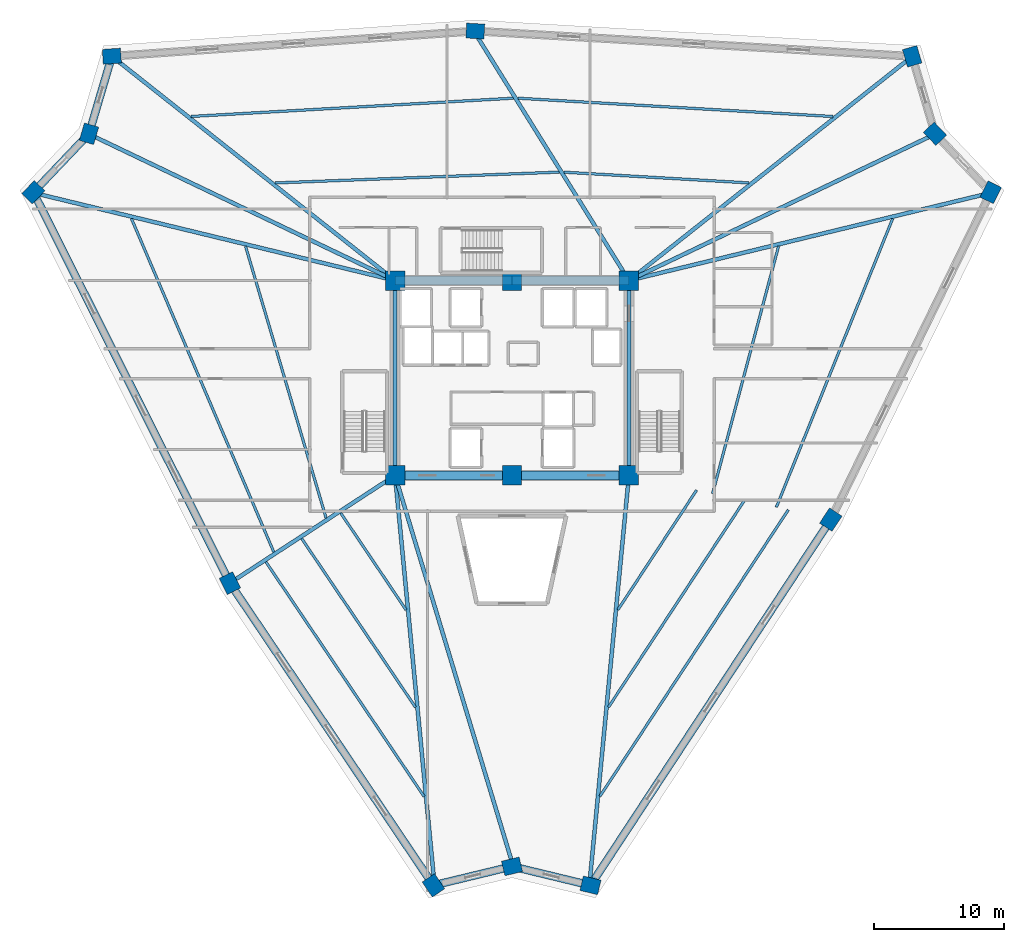
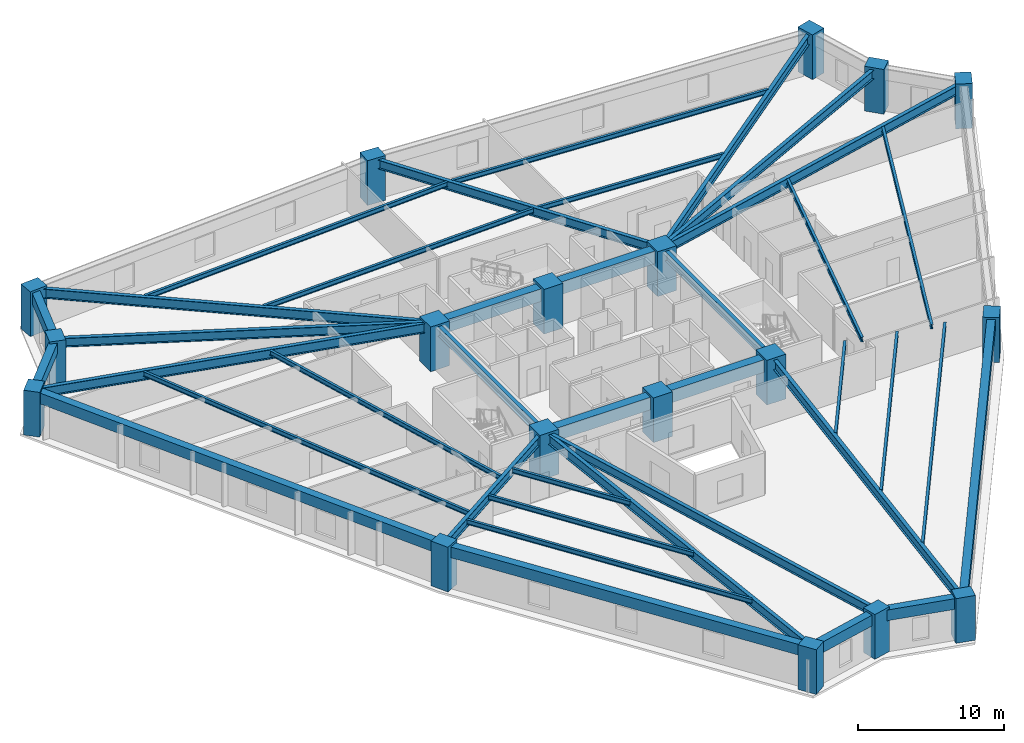
# One storey, part 1 of 8: 38 beams, 18 columns.
"""IFC4 building model written with IfcOpenShell, lengths in metres."""

from ifc_helpers import new_model, si_unit, direction, frame, origin, origin_2d, place, context, subcontext, project, spatial, rectangle, i_section, extrude, source, transform, mapped, material, material_profile, profile_set, type_object, element, save


model = new_model("IFC4")

# Units and contexts
model_context = context("Model", 3, precision=1e-05, world=origin(), true_north=direction((0.0, 1.0)))
body_context = subcontext(model_context, "Body", "Model", "MODEL_VIEW")
ifc_project = project(units=[si_unit("LENGTHUNIT", "METRE"), si_unit("AREAUNIT", "SQUARE_METRE"), si_unit("VOLUMEUNIT", "CUBIC_METRE"), si_unit("PLANEANGLEUNIT", "RADIAN"), si_unit("MASSUNIT", "GRAM", prefix="KILO")], contexts=[model_context])

# Site, building, storey
site_placement = place(None, origin())
site = spatial("IfcSite", under=ifc_project, at=site_placement, CompositionType="ELEMENT")
building_placement = place(site_placement, origin())
building = spatial("IfcBuilding", under=site, at=building_placement, Name="Liaohun Quay Tower", CompositionType="ELEMENT")
storey_placement = place(building_placement, frame((0.0, 0.0, 109.5)))
storey = spatial("IfcBuildingStorey", under=building, at=storey_placement, Name="L28", CompositionType="ELEMENT", Elevation=109.5)

# Columns
ifc_material_1 = material(Name="Concrete C60", Category="concrete")
ifc_material_profile_1 = material_profile(ifc_material_1, rectangle(XDim=1.5, YDim=1.5, at=origin_2d()), Name="RC1500x1500")
ifc_profile_set_1 = profile_set([ifc_material_profile_1], Name="Concrete C60")
column_type_1 = type_object("IfcColumnType", Name="COL-CC-Z2", PredefinedType="COLUMN", material=ifc_profile_set_1)
shared_shape_1 = source(origin(), body_context, "Body", "SweptSolid", [
    extrude(rectangle(XDim=1.5, YDim=1.5, at=origin_2d()), origin(), (0.0, 0.0, 1.0), 3.75),
])
for number, where, z_axis, x_axis, name in (
    (1, (51.0, 46.5, 0.0), (0.0, 0.0, 1.0), (1.0, 0.0, 0.0), "L28 Core Column CC1"),
    (2, (60.0, 46.5, 0.0), (0.0, 0.0, 1.0), (1.0, 0.0, 0.0), "L28 Core Column CC2"),
    (3, (69.0, 46.5, 0.0), (0.0, 0.0, 1.0), (1.0, 0.0, 0.0), "L28 Core Column CC3"),
    (4, (69.0, 61.5, 0.0), (0.0, 0.0, 1.0), (1.0, 0.0, 0.0), "L28 Core Column CC4"),
    (5, (60.0, 61.5, 0.0), (0.0, 0.0, 1.0), (1.0, 0.0, 0.0), "L28 Core Column CC5"),
    (6, (51.0, 61.5, 0.0), (0.0, 0.0, 1.0), (1.0, 0.0, 0.0), "L28 Core Column CC6"),
):
    element("IfcColumn", number, at=place(storey_placement, frame(where, z_axis=z_axis, x_axis=x_axis)), inside=storey, type_object=column_type_1, Name=name, PredefinedType="COLUMN", context=body_context, shape_type="MappedRepresentation", body=[
        mapped(shared_shape_1, transform((0.0, 0.0, 0.0), x_axis=(1.0, 0.0, 0.0), y_axis=(0.0, 1.0, 0.0), z_axis=(0.0, 0.0, 1.0), scale=1.0)),
    ])
ifc_material_profile_2 = material_profile(ifc_material_1, rectangle(XDim=1.39990234375, YDim=1.14990234375, at=origin_2d()), Name="RC1400x1150")
ifc_profile_set_2 = profile_set([ifc_material_profile_2], Name="Concrete C60")
column_type_2 = type_object("IfcColumnType", Name="COL-PIER-Z2", PredefinedType="COLUMN", material=ifc_profile_set_2)
shared_shape_2 = source(origin(), body_context, "Body", "SweptSolid", [
    extrude(rectangle(XDim=1.39990234375, YDim=1.14990234375, at=origin_2d()), origin(), (0.0, 0.0, 1.0), 3.75),
])
for number, where, z_axis, x_axis, name in (
    (7, (53.9541015625, 14.950927734375, 0.0), (0.0, 0.0, 1.0), (-0.558613989835, 0.829427760785, 0.0), "L28 Perimeter Pier PC01"),
    (8, (38.2919921875, 38.205078125, 0.0), (0.0, 0.0, 1.0), (-0.449163069051, 0.89344979568, 0.0), "L28 Perimeter Pier PC02"),
    (9, (23.1640625, 68.29296875, 0.0), (0.0, 0.0, 1.0), (0.68936671806, 0.724412539946, 0.0), "L28 Perimeter Pier PC03"),
    (10, (27.447021484375, 72.7939453125, 0.0), (0.0, 0.0, 1.0), (0.282676303383, 0.959215360337, 0.0), "L28 Perimeter Pier PC04"),
    (11, (29.2060546875, 78.760986328125, 0.0), (0.0, 0.0, 1.0), (0.997612506361, 0.069060025714, 0.0), "L28 Perimeter Pier PC05"),
    (12, (57.175048828125, 80.697021484375, 0.0), (0.0, 0.0, 1.0), (-0.99833175459, 0.0577382696, 0.0), "L28 Perimeter Pier PC06"),
    (13, (90.7958984375, 78.75390625, 0.0), (0.0, 0.0, 1.0), (-0.282676303383, 0.959215360337, 0.0), "L28 Perimeter Pier PC07"),
    (14, (92.552978515625, 72.7939453125, 0.0), (0.0, 0.0, 1.0), (-0.68936671806, 0.724412539946, 0.0), "L28 Perimeter Pier PC08"),
    (15, (96.841064453125, 68.2880859375, 0.0), (0.0, 0.0, 1.0), (0.438998516526, 0.898487786499, 0.0), "L28 Perimeter Pier PC09"),
    (16, (84.532958984375, 43.097900390625, 0.0), (0.0, 0.0, 1.0), (0.549168685539, 0.83571152608, 0.0), "L28 Perimeter Pier PC10"),
    (17, (66.0390625, 14.952880859375, 0.0), (0.0, 0.0, 1.0), (-0.972043021443, 0.234802820391, 0.0), "L28 Perimeter Pier PC11"),
    (18, (60.0, 16.410888671875, 0.0), (0.0, 0.0, 1.0), (0.972043021443, 0.234802820391, 0.0), "L28 Perimeter Pier PC12"),
):
    element("IfcColumn", number, at=place(storey_placement, frame(where, z_axis=z_axis, x_axis=x_axis)), inside=storey, type_object=column_type_2, Name=name, PredefinedType="COLUMN", context=body_context, shape_type="MappedRepresentation", body=[
        mapped(shared_shape_2, transform((0.0, 0.0, 0.0), x_axis=(1.0, 0.0, 0.0), y_axis=(0.0, 1.0, 0.0), z_axis=(0.0, 0.0, 1.0), scale=1.0)),
    ])

# Beams
ifc_material_profile_3 = material_profile(ifc_material_1, rectangle(XDim=0.699951171875, YDim=1.050048828125, at=origin_2d()), Name="RC700x1050")
ifc_profile_set_3 = profile_set([ifc_material_profile_3], Name="Concrete C60")
beam_type_1 = type_object("IfcBeamType", Name="BM-CPL-1", PredefinedType="LINTEL", material=ifc_profile_set_3)
shared_shape_3 = source(origin(), body_context, "Body", "SweptSolid", [
    extrude(rectangle(XDim=0.699951171875, YDim=1.050048828125, at=origin_2d()), origin(), (0.0, 0.0, 1.0), 9.0),
])
for number, where, z_axis, x_axis, name in (
    (19, (51.0, 46.5, 3.044921875), (1.0, 0.0, 0.0), (0.0, 1.0, 0.0), "L28 Core Coupling/Ring Beam CC1-CC2"),
    (20, (60.0, 46.5, 3.044921875), (1.0, 0.0, 0.0), (0.0, 1.0, 0.0), "L28 Core Coupling/Ring Beam CC2-CC3"),
    (21, (69.0, 61.5, 3.044921875), (-1.0, 0.0, 0.0), (0.0, -1.0, 0.0), "L28 Core Coupling/Ring Beam CC4-CC5"),
    (22, (60.0, 61.5, 3.044921875), (-1.0, 0.0, 0.0), (0.0, -1.0, 0.0), "L28 Core Coupling/Ring Beam CC5-CC6"),
):
    element("IfcBeam", number, at=place(storey_placement, frame(where, z_axis=z_axis, x_axis=x_axis)), inside=storey, type_object=beam_type_1, Name=name, PredefinedType="LINTEL", context=body_context, shape_type="MappedRepresentation", body=[
        mapped(shared_shape_3, transform((0.0, 0.0, 0.0), x_axis=(1.0, 0.0, 0.0), y_axis=(0.0, 1.0, 0.0), z_axis=(0.0, 0.0, 1.0), scale=1.0)),
    ])
ifc_material_2 = material(Name="Steel Q355D", Category="steel")
ifc_material_profile_4 = material_profile(ifc_material_2, i_section(OverallWidth=0.300048828125, OverallDepth=0.800048828125, WebThickness=0.013916015625, FlangeThickness=0.02587890625, at=origin_2d()), Name="HN800x300x14x26")
ifc_profile_set_4 = profile_set([ifc_material_profile_4], Name="Steel Q355D")
beam_type_2 = type_object("IfcBeamType", Name="BM-RAD-M1", PredefinedType="BEAM", material=ifc_profile_set_4)
shared_shape_4 = source(origin(), body_context, "Body", "SweptSolid", [
    extrude(i_section(OverallWidth=0.300048828125, OverallDepth=0.800048828125, WebThickness=0.013916015625, FlangeThickness=0.02587890625, at=origin_2d()), origin(), (0.0, 0.0, 1.0), 15.0),
])
for number, where, z_axis, x_axis, name in (
    (23, (69.0, 46.5, 3.169921875), (0.0, 1.0, 0.0), (-1.0, 0.0, 0.0), "L28 Core Coupling/Ring Beam CC3-CC4"),
    (24, (51.0, 61.5, 3.169921875), (0.0, -1.0, 0.0), (1.0, 0.0, 0.0), "L28 Core Coupling/Ring Beam CC6-CC1"),
):
    element("IfcBeam", number, at=place(storey_placement, frame(where, z_axis=z_axis, x_axis=x_axis)), inside=storey, type_object=beam_type_2, Name=name, PredefinedType="BEAM", context=body_context, shape_type="MappedRepresentation", body=[
        mapped(shared_shape_4, transform((0.0, 0.0, 0.0), x_axis=(1.0, 0.0, 0.0), y_axis=(0.0, 1.0, 0.0), z_axis=(0.0, 0.0, 1.0), scale=1.0)),
    ])
ifc_material_3 = material(Name="Precast concrete C55", Category="concrete")
ifc_material_profile_5 = material_profile(ifc_material_3, rectangle(XDim=0.60009765625, YDim=0.89990234375, at=origin_2d()), Name="RC600x900")
ifc_profile_set_5 = profile_set([ifc_material_profile_5], Name="Precast concrete C55")
beam_type_3 = type_object("IfcBeamType", Name="BM-SPD-Z2", PredefinedType="SPANDREL", material=ifc_profile_set_5)
shared_shape_5 = source(origin(), body_context, "Body", "SweptSolid", [
    extrude(rectangle(XDim=0.60009765625, YDim=0.89990234375, at=origin_2d()), origin(), (0.0, 0.0, 1.0), 28.03662109375),
])
beam_1_placement = place(storey_placement, frame((53.9541015625, 14.950927734375, 3.1201171875), z_axis=(-0.558628621166, 0.829417906495, 0.0), x_axis=(-0.829417906495, -0.558628621166, 0.0)))
element("IfcBeam", 25, at=beam_1_placement, inside=storey, type_object=beam_type_3, Name="L28 Precast Spandrel Beam PC01-PC02", PredefinedType="SPANDREL", context=body_context, shape_type="MappedRepresentation", body=[
    mapped(shared_shape_5, transform((0.0, 0.0, 0.0), x_axis=(1.0, 0.0, 0.0), y_axis=(0.0, 1.0, 0.0), z_axis=(0.0, 0.0, 1.0), scale=1.0)),
])
shared_shape_6 = source(origin(), body_context, "Body", "SweptSolid", [
    extrude(rectangle(XDim=0.60009765625, YDim=0.89990234375, at=origin_2d()), origin(), (0.0, 0.0, 1.0), 33.677001953125),
])
beam_2_placement = place(storey_placement, frame((38.2919921875, 38.205078125, 3.1201171875), z_axis=(-0.449207543272, 0.893427435815, 0.0), x_axis=(-0.893427435815, -0.449207543272, 0.0)))
element("IfcBeam", 26, at=beam_2_placement, inside=storey, type_object=beam_type_3, Name="L28 Precast Spandrel Beam PC02-PC03", PredefinedType="SPANDREL", context=body_context, shape_type="MappedRepresentation", body=[
    mapped(shared_shape_6, transform((0.0, 0.0, 0.0), x_axis=(1.0, 0.0, 0.0), y_axis=(0.0, 1.0, 0.0), z_axis=(0.0, 0.0, 1.0), scale=1.0)),
])
shared_shape_7 = source(origin(), body_context, "Body", "SweptSolid", [
    extrude(rectangle(XDim=0.60009765625, YDim=0.89990234375, at=origin_2d()), origin(), (0.0, 0.0, 1.0), 6.213134765625),
])
beam_3_placement = place(storey_placement, frame((23.1640625, 68.29296875, 3.1201171875), z_axis=(0.68934406987, 0.724434091781, 0.0), x_axis=(-0.724434091781, 0.68934406987, 0.0)))
element("IfcBeam", 27, at=beam_3_placement, inside=storey, type_object=beam_type_3, Name="L28 Precast Spandrel Beam PC03-PC04", PredefinedType="SPANDREL", context=body_context, shape_type="MappedRepresentation", body=[
    mapped(shared_shape_7, transform((0.0, 0.0, 0.0), x_axis=(1.0, 0.0, 0.0), y_axis=(0.0, 1.0, 0.0), z_axis=(0.0, 0.0, 1.0), scale=1.0)),
])
shared_shape_8 = source(origin(), body_context, "Body", "SweptSolid", [
    extrude(rectangle(XDim=0.60009765625, YDim=0.89990234375, at=origin_2d()), origin(), (0.0, 0.0, 1.0), 6.220947265625),
])
beam_4_placement = place(storey_placement, frame((27.447021484375, 72.7939453125, 3.1201171875), z_axis=(0.282761195984, 0.959190338799, 0.0), x_axis=(-0.959190338799, 0.282761195984, 0.0)))
element("IfcBeam", 28, at=beam_4_placement, inside=storey, type_object=beam_type_3, Name="L28 Precast Spandrel Beam PC04-PC05", PredefinedType="SPANDREL", context=body_context, shape_type="MappedRepresentation", body=[
    mapped(shared_shape_8, transform((0.0, 0.0, 0.0), x_axis=(1.0, 0.0, 0.0), y_axis=(0.0, 1.0, 0.0), z_axis=(0.0, 0.0, 1.0), scale=1.0)),
])
shared_shape_9 = source(origin(), body_context, "Body", "SweptSolid", [
    extrude(rectangle(XDim=0.60009765625, YDim=0.89990234375, at=origin_2d()), origin(), (0.0, 0.0, 1.0), 33.677490234375),
])
beam_5_placement = place(storey_placement, frame((84.532958984375, 43.097900390625, 3.1201171875), z_axis=(-0.549148810226, -0.835724586348, 0.0), x_axis=(0.835724586348, -0.549148810226, 0.0)))
element("IfcBeam", 29, at=beam_5_placement, inside=storey, type_object=beam_type_3, Name="L28 Precast Spandrel Beam PC10-PC11", PredefinedType="SPANDREL", context=body_context, shape_type="MappedRepresentation", body=[
    mapped(shared_shape_9, transform((0.0, 0.0, 0.0), x_axis=(1.0, 0.0, 0.0), y_axis=(0.0, 1.0, 0.0), z_axis=(0.0, 0.0, 1.0), scale=1.0)),
])
shared_shape_10 = source(origin(), body_context, "Body", "SweptSolid", [
    extrude(rectangle(XDim=0.60009765625, YDim=0.89990234375, at=origin_2d()), origin(), (0.0, 0.0, 1.0), 6.212646484375),
])
beam_6_placement = place(storey_placement, frame((66.0390625, 14.952880859375, 3.1201171875), z_axis=(-0.972071080455, 0.234686630517, 0.0), x_axis=(-0.234686630517, -0.972071080455, 0.0)))
element("IfcBeam", 30, at=beam_6_placement, inside=storey, type_object=beam_type_3, Name="L28 Precast Spandrel Beam PC11-PC12", PredefinedType="SPANDREL", context=body_context, shape_type="MappedRepresentation", body=[
    mapped(shared_shape_10, transform((0.0, 0.0, 0.0), x_axis=(1.0, 0.0, 0.0), y_axis=(0.0, 1.0, 0.0), z_axis=(0.0, 0.0, 1.0), scale=1.0)),
])
shared_shape_11 = source(origin(), body_context, "Body", "SweptSolid", [
    extrude(rectangle(XDim=0.60009765625, YDim=0.89990234375, at=origin_2d()), origin(), (0.0, 0.0, 1.0), 6.2197265625),
])
beam_7_placement = place(storey_placement, frame((60.0, 16.410888671875, 3.1201171875), z_axis=(-0.972059975576, -0.234732622111, 0.0), x_axis=(0.234732622111, -0.972059975576, 0.0)))
element("IfcBeam", 31, at=beam_7_placement, inside=storey, type_object=beam_type_3, Name="L28 Precast Spandrel Beam PC12-PC01", PredefinedType="SPANDREL", context=body_context, shape_type="MappedRepresentation", body=[
    mapped(shared_shape_11, transform((0.0, 0.0, 0.0), x_axis=(1.0, 0.0, 0.0), y_axis=(0.0, 1.0, 0.0), z_axis=(0.0, 0.0, 1.0), scale=1.0)),
])
shared_shape_12 = source(origin(), body_context, "Body", "SweptSolid", [
    extrude(i_section(OverallWidth=0.300048828125, OverallDepth=0.800048828125, WebThickness=0.013916015625, FlangeThickness=0.02587890625, at=origin_2d()), origin(), (0.0, 0.0, 1.0), 31.3525390625),
])
beam_8_placement = place(storey_placement, frame((51.0, 46.5, 3.169921875), z_axis=(0.095942684726, -0.995386860094, 0.0), x_axis=(0.995386860094, 0.095942684726, 0.0)))
element("IfcBeam", 32, at=beam_8_placement, inside=storey, type_object=beam_type_2, Name="L28 Radial Primary Girder CC1-PC01", PredefinedType="BEAM", context=body_context, shape_type="MappedRepresentation", body=[
    mapped(shared_shape_12, transform((0.0, 0.0, 0.0), x_axis=(1.0, 0.0, 0.0), y_axis=(0.0, 1.0, 0.0), z_axis=(0.0, 0.0, 1.0), scale=1.0)),
])
ifc_material_profile_6 = material_profile(ifc_material_2, i_section(OverallWidth=0.300048828125, OverallDepth=0.75, WebThickness=0.013916015625, FlangeThickness=0.02587890625, at=origin_2d()), Name="HN750x300x14x26")
ifc_profile_set_6 = profile_set([ifc_material_profile_6], Name="Steel Q355D")
beam_type_4 = type_object("IfcBeamType", Name="BM-RAD-M2", PredefinedType="BEAM", material=ifc_profile_set_6)
shared_shape_13 = source(origin(), body_context, "Body", "SweptSolid", [
    extrude(i_section(OverallWidth=0.300048828125, OverallDepth=0.75, WebThickness=0.013916015625, FlangeThickness=0.02587890625, at=origin_2d()), origin(), (0.0, 0.0, 1.0), 14.952880859375),
])
beam_9_placement = place(storey_placement, frame((51.0, 46.5, 3.195068359375), z_axis=(-0.837836920437, -0.545920593817, 0.0), x_axis=(0.545920593817, -0.837836920437, 0.0)))
element("IfcBeam", 33, at=beam_9_placement, inside=storey, type_object=beam_type_4, Name="L28 Radial Primary Girder CC1-PC02", PredefinedType="BEAM", context=body_context, shape_type="MappedRepresentation", body=[
    mapped(shared_shape_13, transform((0.0, 0.0, 0.0), x_axis=(1.0, 0.0, 0.0), y_axis=(0.0, 1.0, 0.0), z_axis=(0.0, 0.0, 1.0), scale=1.0)),
])
shared_shape_14 = source(origin(), body_context, "Body", "SweptSolid", [
    extrude(i_section(OverallWidth=0.300048828125, OverallDepth=0.800048828125, WebThickness=0.013916015625, FlangeThickness=0.02587890625, at=origin_2d()), origin(), (0.0, 0.0, 1.0), 28.309814453125),
])
beam_10_placement = place(storey_placement, frame((51.0, 61.5, 3.169921875), z_axis=(-0.971849148305, 0.235603974796, 0.0), x_axis=(-0.235603974796, -0.971849148305, 0.0)))
element("IfcBeam", 34, at=beam_10_placement, inside=storey, type_object=beam_type_2, Name="L28 Radial Primary Girder CC6-PC03", PredefinedType="BEAM", context=body_context, shape_type="MappedRepresentation", body=[
    mapped(shared_shape_14, transform((0.0, 0.0, 0.0), x_axis=(1.0, 0.0, 0.0), y_axis=(0.0, 1.0, 0.0), z_axis=(0.0, 0.0, 1.0), scale=1.0)),
])
shared_shape_15 = source(origin(), body_context, "Body", "SweptSolid", [
    extrude(i_section(OverallWidth=0.300048828125, OverallDepth=0.75, WebThickness=0.013916015625, FlangeThickness=0.02587890625, at=origin_2d()), origin(), (0.0, 0.0, 1.0), 25.79443359375),
])
for number, where, z_axis, x_axis, name in (
    (35, (51.0, 61.5, 3.195068359375), (-0.902097538332, 0.431532190381, 0.0), (-0.431532190381, -0.902097538332, 0.0), "L28 Radial Primary Girder CC6-PC04"),
    (36, (69.0, 61.5, 3.195068359375), (0.902097538332, 0.431532190381, 0.0), (-0.431532190381, 0.902097538332, 0.0), "L28 Radial Primary Girder CC4-PC08"),
):
    element("IfcBeam", number, at=place(storey_placement, frame(where, z_axis=z_axis, x_axis=x_axis)), inside=storey, type_object=beam_type_4, Name=name, PredefinedType="BEAM", context=body_context, shape_type="MappedRepresentation", body=[
        mapped(shared_shape_15, transform((0.0, 0.0, 0.0), x_axis=(1.0, 0.0, 0.0), y_axis=(0.0, 1.0, 0.0), z_axis=(0.0, 0.0, 1.0), scale=1.0)),
    ])
shared_shape_16 = source(origin(), body_context, "Body", "SweptSolid", [
    extrude(i_section(OverallWidth=0.300048828125, OverallDepth=0.800048828125, WebThickness=0.013916015625, FlangeThickness=0.02587890625, at=origin_2d()), origin(), (0.0, 0.0, 1.0), 27.456787109375),
])
beam_11_placement = place(storey_placement, frame((51.0, 61.5, 3.169921875), z_axis=(-0.784033744003, 0.620718203588, 0.0), x_axis=(-0.620718203588, -0.784033744003, 0.0)))
element("IfcBeam", 37, at=beam_11_placement, inside=storey, type_object=beam_type_2, Name="L28 Radial Primary Girder CC6-PC05", PredefinedType="BEAM", context=body_context, shape_type="MappedRepresentation", body=[
    mapped(shared_shape_16, transform((0.0, 0.0, 0.0), x_axis=(1.0, 0.0, 0.0), y_axis=(0.0, 1.0, 0.0), z_axis=(0.0, 0.0, 1.0), scale=1.0)),
])
shared_shape_17 = source(origin(), body_context, "Body", "SweptSolid", [
    extrude(i_section(OverallWidth=0.300048828125, OverallDepth=0.75, WebThickness=0.013916015625, FlangeThickness=0.02587890625, at=origin_2d()), origin(), (0.0, 0.0, 1.0), 22.345458984375),
])
beam_12_placement = place(storey_placement, frame((69.0, 61.5, 3.195068359375), z_axis=(-0.528117918078, 0.849171045553, 0.0), x_axis=(-0.849171045553, -0.528117918078, 0.0)))
element("IfcBeam", 38, at=beam_12_placement, inside=storey, type_object=beam_type_4, Name="L28 Radial Primary Girder CC4-PC06", PredefinedType="BEAM", context=body_context, shape_type="MappedRepresentation", body=[
    mapped(shared_shape_17, transform((0.0, 0.0, 0.0), x_axis=(1.0, 0.0, 0.0), y_axis=(0.0, 1.0, 0.0), z_axis=(0.0, 0.0, 1.0), scale=1.0)),
])
shared_shape_18 = source(origin(), body_context, "Body", "SweptSolid", [
    extrude(i_section(OverallWidth=0.300048828125, OverallDepth=0.800048828125, WebThickness=0.013916015625, FlangeThickness=0.02587890625, at=origin_2d()), origin(), (0.0, 0.0, 1.0), 27.4541015625),
])
beam_13_placement = place(storey_placement, frame((69.0, 61.5, 3.169921875), z_axis=(0.784186635718, 0.620525036047, 0.0), x_axis=(-0.620525036047, 0.784186635718, 0.0)))
element("IfcBeam", 39, at=beam_13_placement, inside=storey, type_object=beam_type_2, Name="L28 Radial Primary Girder CC4-PC07", PredefinedType="BEAM", context=body_context, shape_type="MappedRepresentation", body=[
    mapped(shared_shape_18, transform((0.0, 0.0, 0.0), x_axis=(1.0, 0.0, 0.0), y_axis=(0.0, 1.0, 0.0), z_axis=(0.0, 0.0, 1.0), scale=1.0)),
])
shared_shape_19 = source(origin(), body_context, "Body", "SweptSolid", [
    extrude(i_section(OverallWidth=0.300048828125, OverallDepth=0.800048828125, WebThickness=0.013916015625, FlangeThickness=0.02587890625, at=origin_2d()), origin(), (0.0, 0.0, 1.0), 28.313720703125),
])
beam_14_placement = place(storey_placement, frame((69.0, 61.5, 3.169921875), z_axis=(0.971898665288, 0.235399627042, 0.0), x_axis=(-0.235399627042, 0.971898665288, 0.0)))
element("IfcBeam", 40, at=beam_14_placement, inside=storey, type_object=beam_type_2, Name="L28 Radial Primary Girder CC4-PC09", PredefinedType="BEAM", context=body_context, shape_type="MappedRepresentation", body=[
    mapped(shared_shape_19, transform((0.0, 0.0, 0.0), x_axis=(1.0, 0.0, 0.0), y_axis=(0.0, 1.0, 0.0), z_axis=(0.0, 0.0, 1.0), scale=1.0)),
])
shared_shape_20 = source(origin(), body_context, "Body", "SweptSolid", [
    extrude(i_section(OverallWidth=0.300048828125, OverallDepth=0.800048828125, WebThickness=0.013916015625, FlangeThickness=0.02587890625, at=origin_2d()), origin(), (0.0, 0.0, 1.0), 31.351318359375),
])
beam_15_placement = place(storey_placement, frame((69.0, 46.5, 3.169921875), z_axis=(-0.096164667529, -0.995365438781, 0.0), x_axis=(0.995365438781, -0.096164667529, 0.0)))
element("IfcBeam", 41, at=beam_15_placement, inside=storey, type_object=beam_type_2, Name="L28 Radial Primary Girder CC3-PC11", PredefinedType="BEAM", context=body_context, shape_type="MappedRepresentation", body=[
    mapped(shared_shape_20, transform((0.0, 0.0, 0.0), x_axis=(1.0, 0.0, 0.0), y_axis=(0.0, 1.0, 0.0), z_axis=(0.0, 0.0, 1.0), scale=1.0)),
])
shared_shape_21 = source(origin(), body_context, "Body", "SweptSolid", [
    extrude(i_section(OverallWidth=0.300048828125, OverallDepth=0.75, WebThickness=0.013916015625, FlangeThickness=0.02587890625, at=origin_2d()), origin(), (0.0, 0.0, 1.0), 31.093017578125),
])
beam_16_placement = place(storey_placement, frame((51.0, 46.5, 3.195068359375), z_axis=(0.289454250012, -0.957191849709, 0.0), x_axis=(0.957191849709, 0.289454250012, 0.0)))
element("IfcBeam", 42, at=beam_16_placement, inside=storey, type_object=beam_type_4, Name="L28 Radial Primary Girder CC1-PC12", PredefinedType="BEAM", context=body_context, shape_type="MappedRepresentation", body=[
    mapped(shared_shape_21, transform((0.0, 0.0, 0.0), x_axis=(1.0, 0.0, 0.0), y_axis=(0.0, 1.0, 0.0), z_axis=(0.0, 0.0, 1.0), scale=1.0)),
])
ifc_material_profile_7 = material_profile(ifc_material_2, i_section(OverallWidth=0.199951171875, OverallDepth=0.39990234375, WebThickness=0.008056640625, FlangeThickness=0.012939453125, at=origin_2d()), Name="HN400x200x8x13")
ifc_profile_set_7 = profile_set([ifc_material_profile_7], Name="Steel Q355D")
beam_type_5 = type_object("IfcBeamType", Name="BM-SEC-J2", PredefinedType="JOIST", material=ifc_profile_set_7)
shared_shape_22 = source(origin(), body_context, "Body", "SweptSolid", [
    extrude(i_section(OverallWidth=0.199951171875, OverallDepth=0.39990234375, WebThickness=0.008056640625, FlangeThickness=0.012939453125, at=origin_2d()), origin(), (0.0, 0.0, 1.0), 8.9853515625),
])
beam_17_placement = place(storey_placement, frame((51.846923828125, 36.14990234375, 3.3701171875), z_axis=(-0.559019179897, 0.829154724106, 0.0), x_axis=(-0.829154724106, -0.559019179897, 0.0)))
element("IfcBeam", 43, at=beam_17_placement, inside=storey, type_object=beam_type_5, Name="L28 Wing Secondary Floor Joist SJ-01", PredefinedType="JOIST", context=body_context, shape_type="MappedRepresentation", body=[
    mapped(shared_shape_22, transform((0.0, 0.0, 0.0), x_axis=(1.0, 0.0, 0.0), y_axis=(0.0, 1.0, 0.0), z_axis=(0.0, 0.0, 1.0), scale=1.0)),
])
shared_shape_23 = source(origin(), body_context, "Body", "SweptSolid", [
    extrude(i_section(OverallWidth=0.199951171875, OverallDepth=0.39990234375, WebThickness=0.008056640625, FlangeThickness=0.012939453125, at=origin_2d()), origin(), (0.0, 0.0, 1.0), 15.6552734375),
])
beam_18_placement = place(storey_placement, frame((52.569091796875, 28.659912109375, 3.3701171875), z_axis=(-0.558975385376, 0.829184248852, 0.0), x_axis=(-0.829184248852, -0.558975385376, 0.0)))
element("IfcBeam", 44, at=beam_18_placement, inside=storey, type_object=beam_type_5, Name="L28 Wing Secondary Floor Joist SJ-02", PredefinedType="JOIST", context=body_context, shape_type="MappedRepresentation", body=[
    mapped(shared_shape_23, transform((0.0, 0.0, 0.0), x_axis=(1.0, 0.0, 0.0), y_axis=(0.0, 1.0, 0.0), z_axis=(0.0, 0.0, 1.0), scale=1.0)),
])
shared_shape_24 = source(origin(), body_context, "Body", "SweptSolid", [
    extrude(i_section(OverallWidth=0.199951171875, OverallDepth=0.39990234375, WebThickness=0.008056640625, FlangeThickness=0.012939453125, at=origin_2d()), origin(), (0.0, 0.0, 1.0), 21.770263671875),
])
beam_19_placement = place(storey_placement, frame((53.23095703125, 21.7939453125, 3.3701171875), z_axis=(-0.559014563977, 0.829157836158, 0.0), x_axis=(-0.829157836158, -0.559014563977, 0.0)))
element("IfcBeam", 45, at=beam_19_placement, inside=storey, type_object=beam_type_5, Name="L28 Wing Secondary Floor Joist SJ-03", PredefinedType="JOIST", context=body_context, shape_type="MappedRepresentation", body=[
    mapped(shared_shape_24, transform((0.0, 0.0, 0.0), x_axis=(1.0, 0.0, 0.0), y_axis=(0.0, 1.0, 0.0), z_axis=(0.0, 0.0, 1.0), scale=1.0)),
])
shared_shape_25 = source(origin(), body_context, "Body", "SweptSolid", [
    extrude(i_section(OverallWidth=0.199951171875, OverallDepth=0.39990234375, WebThickness=0.008056640625, FlangeThickness=0.012939453125, at=origin_2d()), origin(), (0.0, 0.0, 1.0), 21.812744140625),
])
beam_20_placement = place(storey_placement, frame((45.694091796875, 43.221923828125, 3.3701171875), z_axis=(-0.284245331726, 0.958751579604, 0.0), x_axis=(-0.958751579604, -0.284245331726, 0.0)))
element("IfcBeam", 46, at=beam_20_placement, inside=storey, type_object=beam_type_5, Name="L28 Wing Secondary Floor Joist SJ-04", PredefinedType="JOIST", context=body_context, shape_type="MappedRepresentation", body=[
    mapped(shared_shape_25, transform((0.0, 0.0, 0.0), x_axis=(1.0, 0.0, 0.0), y_axis=(0.0, 1.0, 0.0), z_axis=(0.0, 0.0, 1.0), scale=1.0)),
])
shared_shape_26 = source(origin(), body_context, "Body", "SweptSolid", [
    extrude(i_section(OverallWidth=0.199951171875, OverallDepth=0.39990234375, WebThickness=0.008056640625, FlangeThickness=0.012939453125, at=origin_2d()), origin(), (0.0, 0.0, 1.0), 27.905029296875),
])
beam_21_placement = place(storey_placement, frame((41.6689453125, 40.59912109375, 3.3701171875), z_axis=(-0.392575757789, 0.919719671637, 0.0), x_axis=(-0.919719671637, -0.392575757789, 0.0)))
element("IfcBeam", 47, at=beam_21_placement, inside=storey, type_object=beam_type_5, Name="L28 Wing Secondary Floor Joist SJ-05", PredefinedType="JOIST", context=body_context, shape_type="MappedRepresentation", body=[
    mapped(shared_shape_26, transform((0.0, 0.0, 0.0), x_axis=(1.0, 0.0, 0.0), y_axis=(0.0, 1.0, 0.0), z_axis=(0.0, 0.0, 1.0), scale=1.0)),
])
shared_shape_27 = source(origin(), body_context, "Body", "SweptSolid", [
    extrude(i_section(OverallWidth=0.199951171875, OverallDepth=0.39990234375, WebThickness=0.008056640625, FlangeThickness=0.012939453125, at=origin_2d()), origin(), (0.0, 0.0, 1.0), 21.891845703125),
])
beam_22_placement = place(storey_placement, frame((41.759033203125, 69.008056640625, 3.3701171875), z_axis=(0.999274098238, 0.038095624298, 0.0), x_axis=(-0.038095624298, 0.999274098238, 0.0)))
element("IfcBeam", 48, at=beam_22_placement, inside=storey, type_object=beam_type_5, Name="L28 Wing Secondary Floor Joist SJ-06", PredefinedType="JOIST", context=body_context, shape_type="MappedRepresentation", body=[
    mapped(shared_shape_27, transform((0.0, 0.0, 0.0), x_axis=(1.0, 0.0, 0.0), y_axis=(0.0, 1.0, 0.0), z_axis=(0.0, 0.0, 1.0), scale=1.0)),
])
shared_shape_28 = source(origin(), body_context, "Body", "SweptSolid", [
    extrude(i_section(OverallWidth=0.199951171875, OverallDepth=0.39990234375, WebThickness=0.008056640625, FlangeThickness=0.012939453125, at=origin_2d()), origin(), (0.0, 0.0, 1.0), 24.8408203125),
])
beam_23_placement = place(storey_placement, frame((35.2958984375, 74.125, 3.3701171875), z_axis=(0.99839468109, 0.056639745505, 0.0), x_axis=(-0.056639745505, 0.99839468109, 0.0)))
element("IfcBeam", 49, at=beam_23_placement, inside=storey, type_object=beam_type_5, Name="L28 Wing Secondary Floor Joist SJ-07", PredefinedType="JOIST", context=body_context, shape_type="MappedRepresentation", body=[
    mapped(shared_shape_28, transform((0.0, 0.0, 0.0), x_axis=(1.0, 0.0, 0.0), y_axis=(0.0, 1.0, 0.0), z_axis=(0.0, 0.0, 1.0), scale=1.0)),
])
shared_shape_29 = source(origin(), body_context, "Body", "SweptSolid", [
    extrude(i_section(OverallWidth=0.199951171875, OverallDepth=0.39990234375, WebThickness=0.008056640625, FlangeThickness=0.012939453125, at=origin_2d()), origin(), (0.0, 0.0, 1.0), 14.28125),
])
beam_24_placement = place(storey_placement, frame((63.990966796875, 69.837890625, 3.3701171875), z_axis=(0.998314342648, -0.058038549811, 0.0), x_axis=(0.058038549811, 0.998314342648, 0.0)))
element("IfcBeam", 50, at=beam_24_placement, inside=storey, type_object=beam_type_5, Name="L28 Wing Secondary Floor Joist SJ-08", PredefinedType="JOIST", context=body_context, shape_type="MappedRepresentation", body=[
    mapped(shared_shape_29, transform((0.0, 0.0, 0.0), x_axis=(1.0, 0.0, 0.0), y_axis=(0.0, 1.0, 0.0), z_axis=(0.0, 0.0, 1.0), scale=1.0)),
])
shared_shape_30 = source(origin(), body_context, "Body", "SweptSolid", [
    extrude(i_section(OverallWidth=0.199951171875, OverallDepth=0.39990234375, WebThickness=0.008056640625, FlangeThickness=0.012939453125, at=origin_2d()), origin(), (0.0, 0.0, 1.0), 24.296142578125),
])
beam_25_placement = place(storey_placement, frame((60.450927734375, 75.531005859375, 3.3701171875), z_axis=(0.998312483643, -0.058070517499, 0.0), x_axis=(0.058070517499, 0.998312483643, 0.0)))
element("IfcBeam", 51, at=beam_25_placement, inside=storey, type_object=beam_type_5, Name="L28 Wing Secondary Floor Joist SJ-09", PredefinedType="JOIST", context=body_context, shape_type="MappedRepresentation", body=[
    mapped(shared_shape_30, transform((0.0, 0.0, 0.0), x_axis=(1.0, 0.0, 0.0), y_axis=(0.0, 1.0, 0.0), z_axis=(0.0, 0.0, 1.0), scale=1.0)),
])
shared_shape_31 = source(origin(), body_context, "Body", "SweptSolid", [
    extrude(i_section(OverallWidth=0.199951171875, OverallDepth=0.39990234375, WebThickness=0.008056640625, FlangeThickness=0.012939453125, at=origin_2d()), origin(), (0.0, 0.0, 1.0), 19.690673828125),
])
beam_26_placement = place(storey_placement, frame((80.513916015625, 64.134033203125, 3.3701171875), z_axis=(-0.2577838071, -0.966202623054, 0.0), x_axis=(0.966202623054, -0.2577838071, 0.0)))
element("IfcBeam", 52, at=beam_26_placement, inside=storey, type_object=beam_type_5, Name="L28 Wing Secondary Floor Joist SJ-10", PredefinedType="JOIST", context=body_context, shape_type="MappedRepresentation", body=[
    mapped(shared_shape_31, transform((0.0, 0.0, 0.0), x_axis=(1.0, 0.0, 0.0), y_axis=(0.0, 1.0, 0.0), z_axis=(0.0, 0.0, 1.0), scale=1.0)),
])
shared_shape_32 = source(origin(), body_context, "Body", "SweptSolid", [
    extrude(i_section(OverallWidth=0.199951171875, OverallDepth=0.39990234375, WebThickness=0.008056640625, FlangeThickness=0.012939453125, at=origin_2d()), origin(), (0.0, 0.0, 1.0), 23.947509765625),
])
beam_27_placement = place(storey_placement, frame((89.2939453125, 66.260986328125, 3.3701171875), z_axis=(-0.373771165641, -0.927520951642, 0.0), x_axis=(0.927520951642, -0.373771165641, 0.0)))
element("IfcBeam", 53, at=beam_27_placement, inside=storey, type_object=beam_type_5, Name="L28 Wing Secondary Floor Joist SJ-11", PredefinedType="JOIST", context=body_context, shape_type="MappedRepresentation", body=[
    mapped(shared_shape_32, transform((0.0, 0.0, 0.0), x_axis=(1.0, 0.0, 0.0), y_axis=(0.0, 1.0, 0.0), z_axis=(0.0, 0.0, 1.0), scale=1.0)),
])
shared_shape_33 = source(origin(), body_context, "Body", "SweptSolid", [
    extrude(i_section(OverallWidth=0.199951171875, OverallDepth=0.39990234375, WebThickness=0.008056640625, FlangeThickness=0.012939453125, at=origin_2d()), origin(), (0.0, 0.0, 1.0), 11.029052734375),
])
beam_28_placement = place(storey_placement, frame((74.2119140625, 45.3740234375, 3.3701171875), z_axis=(-0.549442887794, -0.835531275927, 0.0), x_axis=(0.835531275927, -0.549442887794, 0.0)))
element("IfcBeam", 54, at=beam_28_placement, inside=storey, type_object=beam_type_5, Name="L28 Wing Secondary Floor Joist SJ-12", PredefinedType="JOIST", context=body_context, shape_type="MappedRepresentation", body=[
    mapped(shared_shape_33, transform((0.0, 0.0, 0.0), x_axis=(1.0, 0.0, 0.0), y_axis=(0.0, 1.0, 0.0), z_axis=(0.0, 0.0, 1.0), scale=1.0)),
])
shared_shape_34 = source(origin(), body_context, "Body", "SweptSolid", [
    extrude(i_section(OverallWidth=0.199951171875, OverallDepth=0.39990234375, WebThickness=0.008056640625, FlangeThickness=0.012939453125, at=origin_2d()), origin(), (0.0, 0.0, 1.0), 19.042236328125),
])
beam_29_placement = place(storey_placement, frame((77.89111328125, 44.5791015625, 3.3701171875), z_axis=(-0.549467202132, -0.835515286384, 0.0), x_axis=(0.835515286384, -0.549467202132, 0.0)))
element("IfcBeam", 55, at=beam_29_placement, inside=storey, type_object=beam_type_5, Name="L28 Wing Secondary Floor Joist SJ-13", PredefinedType="JOIST", context=body_context, shape_type="MappedRepresentation", body=[
    mapped(shared_shape_34, transform((0.0, 0.0, 0.0), x_axis=(1.0, 0.0, 0.0), y_axis=(0.0, 1.0, 0.0), z_axis=(0.0, 0.0, 1.0), scale=1.0)),
])
shared_shape_35 = source(origin(), body_context, "Body", "SweptSolid", [
    extrude(i_section(OverallWidth=0.199951171875, OverallDepth=0.39990234375, WebThickness=0.008056640625, FlangeThickness=0.012939453125, at=origin_2d()), origin(), (0.0, 0.0, 1.0), 26.385986328125),
])
beam_30_placement = place(storey_placement, frame((81.262939453125, 43.85009765625, 3.3701171875), z_axis=(-0.549457940297, -0.835521377252, 0.0), x_axis=(0.835521377252, -0.549457940297, 0.0)))
element("IfcBeam", 56, at=beam_30_placement, inside=storey, type_object=beam_type_5, Name="L28 Wing Secondary Floor Joist SJ-14", PredefinedType="JOIST", context=body_context, shape_type="MappedRepresentation", body=[
    mapped(shared_shape_35, transform((0.0, 0.0, 0.0), x_axis=(1.0, 0.0, 0.0), y_axis=(0.0, 1.0, 0.0), z_axis=(0.0, 0.0, 1.0), scale=1.0)),
])

save(model, "model.ifc")
